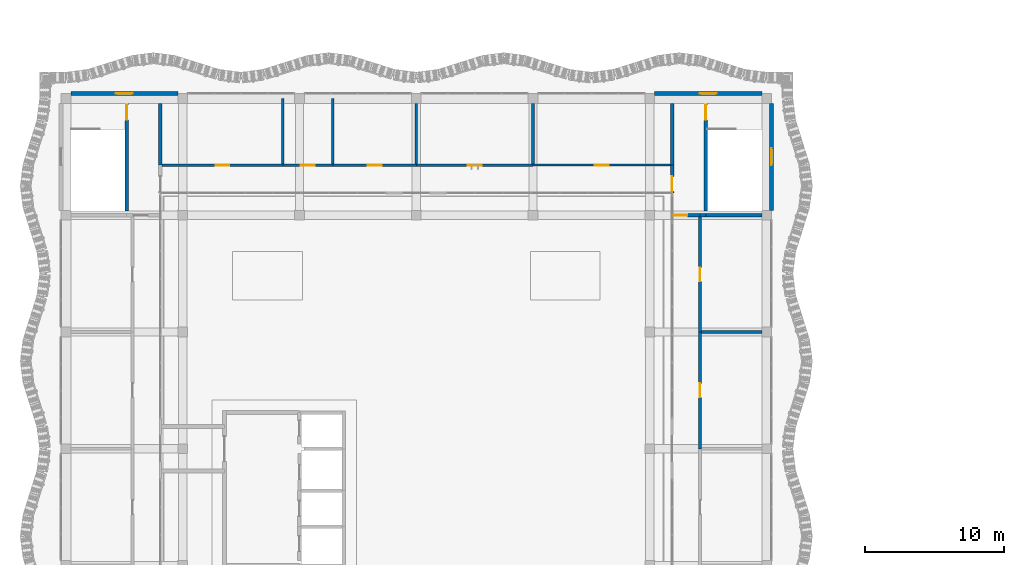
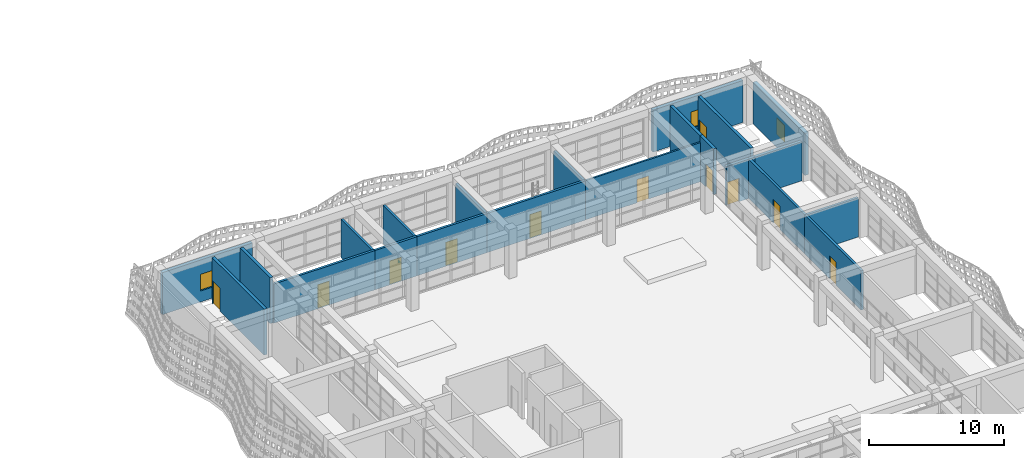
# One storey, part 42 of 85: 23 walls, 11 doors, 3 windows, 14 openings.
"""IFC4 building model written with IfcOpenShell, lengths in metres."""

from ifc_helpers import new_model, si_unit, direction, frame, frame_2d, origin, place, context, subcontext, project, spatial, rectangle, extrude, material, layer, layer_set, type_object, element, fill, save


model = new_model("IFC4")

# Units and contexts
model_context = context("Model", 3, precision=1e-05, world=origin(), true_north=direction((0.0, 1.0)))
body_context = subcontext(model_context, "Body", "Model", "MODEL_VIEW")
ifc_project = project(units=[si_unit("LENGTHUNIT", "METRE"), si_unit("AREAUNIT", "SQUARE_METRE"), si_unit("VOLUMEUNIT", "CUBIC_METRE"), si_unit("PLANEANGLEUNIT", "RADIAN"), si_unit("MASSUNIT", "GRAM", prefix="KILO")], contexts=[model_context])

# Site, building, storey
site_placement = place(None, origin())
site = spatial("IfcSite", under=ifc_project, at=site_placement, CompositionType="ELEMENT")
building_placement = place(site_placement, origin())
building = spatial("IfcBuilding", under=site, at=building_placement, Name="Rain Tree Exposition and Congress Centre", CompositionType="ELEMENT")
storey_placement = place(building_placement, frame((0.0, 0.0, 15.0)))
storey = spatial("IfcBuildingStorey", under=building, at=storey_placement, Name="L03", CompositionType="ELEMENT", Elevation=15.0)

# Wall
ifc_material_1 = material(Name="Plasterboard on steel stud", Category="steel")
ifc_layer_1 = layer(ifc_material_1, 0.199951171875)
ifc_layer_set_1 = layer_set([ifc_layer_1], Name="Plasterboard on steel stud")
wall_type_1 = type_object("IfcWallType", Name="Wing acoustic partition 200", PredefinedType="PARTITIONING", material=ifc_layer_set_1)
wall_1_placement = place(storey_placement, frame((45.699951171875, 33.60009765625, 0.0), z_axis=(0.0, 0.0, 1.0), x_axis=(1.0, 0.0, 0.0)))
element("IfcWall", 1, at=wall_1_placement, inside=storey, type_object=wall_type_1, Name="wing/wall/L03/025", PredefinedType="PARTITIONING", context=body_context, shape_type="SweptSolid", body=[
    extrude(rectangle(XDim=4.35009765625, YDim=0.199951171875, at=frame_2d((2.175048828125, 0.0))), origin(), (0.0, 0.0, 1.0), 3.550048828125),
])

# Wall, opening, door
wall_2_placement = place(storey_placement, frame((6.925048828125, 45.60009765625, 0.0), z_axis=(0.0, 0.0, 1.0), x_axis=(1.0, 0.0, 0.0)))
wall_2 = element("IfcWall", 2, at=wall_2_placement, inside=storey, type_object=wall_type_1, Name="wing/wall/L03/032", PredefinedType="PARTITIONING", context=body_context, shape_type="SweptSolid", body=[
    extrude(rectangle(XDim=8.675048828125, YDim=0.199951171875, at=frame_2d((4.33740234375, 0.0))), origin(), (0.0, 0.0, 1.0), 3.550048828125),
])
opening_1_placement = place(wall_2_placement, frame((3.83740234375, 0.0, 0.0)))
opening_1 = element("IfcOpeningElement", 3, at=opening_1_placement, cuts=wall_2, Name="Opening DW429", PredefinedType="OPENING", context=body_context, shape_type="SweptSolid", body=[
    extrude(rectangle(XDim=1.0, YDim=2.10009765625, at=frame_2d((0.5, 1.050048828125))), frame((0.0, 0.10009765625, 0.0), z_axis=(0.0, -1.0, 0.0), x_axis=(1.0, 0.0, 0.0)), (0.0, 0.0, 1.0), 0.199951171875),
])
ifc_material_2 = material(Name="Timber door leaf", Category="wood")
door_type_1 = type_object("IfcDoorType", Name="Wing door FD30S 1000x2100", OperationType="NOTDEFINED", PredefinedType="DOOR", material=ifc_material_2)
door_1_placement = place(opening_1_placement, origin())
door_1 = element("IfcDoor", 4, at=door_1_placement, inside=storey, type_object=door_type_1, Name="Door DW429", OperationType="SINGLE_SWING_LEFT", OverallHeight=2.10009765625, OverallWidth=1.0, PredefinedType="DOOR", context=body_context, shape_type="SweptSolid", body=[
    extrude(rectangle(XDim=1.0, YDim=2.10009765625, at=frame_2d((0.5, 1.050048828125))), frame((0.0, 0.02490234375, 0.0), z_axis=(0.0, -1.0, 0.0), x_axis=(1.0, 0.0, 0.0)), (0.0, 0.0, 1.0), 0.050048828125),
])
fill(opening_1, door_1)

wall_3_placement = place(storey_placement, frame((15.60009765625, 45.60009765625, 0.0), z_axis=(0.0, 0.0, 1.0), x_axis=(1.0, 0.0, 0.0)))
wall_3 = element("IfcWall", 5, at=wall_3_placement, inside=storey, type_object=wall_type_1, Name="wing/wall/L03/033", PredefinedType="PARTITIONING", context=body_context, shape_type="SweptSolid", body=[
    extrude(rectangle(XDim=3.599853515625, YDim=0.199951171875, at=frame_2d((1.7998046875, 0.0))), origin(), (0.0, 0.0, 1.0), 3.550048828125),
])
opening_2_placement = place(wall_3_placement, frame((1.300048828125, 0.0, 0.0)))
opening_2 = element("IfcOpeningElement", 6, at=opening_2_placement, cuts=wall_3, Name="Opening DW430", PredefinedType="OPENING", context=body_context, shape_type="SweptSolid", body=[
    extrude(rectangle(XDim=1.0, YDim=2.10009765625, at=frame_2d((0.5, 1.050048828125))), frame((0.0, 0.10009765625, 0.0), z_axis=(0.0, -1.0, 0.0), x_axis=(1.0, 0.0, 0.0)), (0.0, 0.0, 1.0), 0.199951171875),
])
door_2_placement = place(opening_2_placement, origin())
door_2 = element("IfcDoor", 7, at=door_2_placement, inside=storey, type_object=door_type_1, Name="Door DW430", OperationType="SINGLE_SWING_LEFT", OverallHeight=2.10009765625, OverallWidth=1.0, PredefinedType="DOOR", context=body_context, shape_type="SweptSolid", body=[
    extrude(rectangle(XDim=1.0, YDim=2.10009765625, at=frame_2d((0.5, 1.050048828125))), frame((0.0, 0.02490234375, 0.0), z_axis=(0.0, -1.0, 0.0), x_axis=(1.0, 0.0, 0.0)), (0.0, 0.0, 1.0), 0.050048828125),
])
fill(opening_2, door_2)

wall_4_placement = place(storey_placement, frame((19.199951171875, 45.60009765625, 0.0), z_axis=(0.0, 0.0, 1.0), x_axis=(1.0, 0.0, 0.0)))
wall_4 = element("IfcWall", 8, at=wall_4_placement, inside=storey, type_object=wall_type_1, Name="wing/wall/L03/034", PredefinedType="PARTITIONING", context=body_context, shape_type="SweptSolid", body=[
    extrude(rectangle(XDim=6.0, YDim=0.199951171875, at=frame_2d((3.0, 0.0))), origin(), (0.0, 0.0, 1.0), 3.550048828125),
])
opening_3_placement = place(wall_4_placement, frame((2.5, 0.0, 0.0)))
opening_3 = element("IfcOpeningElement", 9, at=opening_3_placement, cuts=wall_4, Name="Opening DW431", PredefinedType="OPENING", context=body_context, shape_type="SweptSolid", body=[
    extrude(rectangle(XDim=1.0, YDim=2.10009765625, at=frame_2d((0.5, 1.050048828125))), frame((0.0, 0.10009765625, 0.0), z_axis=(0.0, -1.0, 0.0), x_axis=(1.0, 0.0, 0.0)), (0.0, 0.0, 1.0), 0.199951171875),
])
door_3_placement = place(opening_3_placement, origin())
door_3 = element("IfcDoor", 10, at=door_3_placement, inside=storey, type_object=door_type_1, Name="Door DW431", OperationType="SINGLE_SWING_LEFT", OverallHeight=2.10009765625, OverallWidth=1.0, PredefinedType="DOOR", context=body_context, shape_type="SweptSolid", body=[
    extrude(rectangle(XDim=1.0, YDim=2.10009765625, at=frame_2d((0.5, 1.050048828125))), frame((0.0, 0.02490234375, 0.0), z_axis=(0.0, -1.0, 0.0), x_axis=(1.0, 0.0, 0.0)), (0.0, 0.0, 1.0), 0.050048828125),
])
fill(opening_3, door_3)

# Walls
for number, where, z_axis, x_axis, name in (
    (11, (15.60009765625, 45.699951171875, 0.0), (0.0, 0.0, 1.0), (0.0, 1.0, 0.0), "wing/wall/L03/048"),
    (12, (19.199951171875, 45.699951171875, 0.0), (0.0, 0.0, 1.0), (0.0, 1.0, 0.0), "wing/wall/L03/054"),
):
    element("IfcWall", number, at=place(storey_placement, frame(where, z_axis=z_axis, x_axis=x_axis)), inside=storey, type_object=wall_type_1, Name=name, PredefinedType="PARTITIONING", context=body_context, shape_type="SweptSolid", body=[
        extrude(rectangle(XDim=4.699951171875, YDim=0.199951171875, at=frame_2d((2.35009765625, 0.0))), origin(), (0.0, 0.0, 1.0), 3.449951171875),
    ])

# Wall, opening, door
wall_5_placement = place(storey_placement, frame((45.60009765625, 25.199951171875, 0.0), z_axis=(0.0, 0.0, 1.0), x_axis=(0.0, 1.0, 0.0)))
wall_5 = element("IfcWall", 13, at=wall_5_placement, inside=storey, type_object=wall_type_1, Name="wing/wall/L03/069", PredefinedType="PARTITIONING", context=body_context, shape_type="SweptSolid", body=[
    extrude(rectangle(XDim=8.400146484375, YDim=0.199951171875, at=frame_2d((4.2001953125, 0.0))), origin(), (0.0, 0.0, 1.0), 3.550048828125),
])
opening_4_placement = place(wall_5_placement, frame((3.699951171875, 0.0, 0.0)))
opening_4 = element("IfcOpeningElement", 14, at=opening_4_placement, cuts=wall_5, Name="Opening DW427", PredefinedType="OPENING", context=body_context, shape_type="SweptSolid", body=[
    extrude(rectangle(XDim=1.0, YDim=2.10009765625, at=frame_2d((0.5, 1.050048828125))), frame((0.0, 0.10009765625, 0.0), z_axis=(0.0, -1.0, 0.0), x_axis=(1.0, 0.0, 0.0)), (0.0, 0.0, 1.0), 0.199951171875),
])
door_4_placement = place(opening_4_placement, origin())
door_4 = element("IfcDoor", 15, at=door_4_placement, inside=storey, type_object=door_type_1, Name="Door DW427", OperationType="SINGLE_SWING_LEFT", OverallHeight=2.10009765625, OverallWidth=1.0, PredefinedType="DOOR", context=body_context, shape_type="SweptSolid", body=[
    extrude(rectangle(XDim=1.0, YDim=2.10009765625, at=frame_2d((0.5, 1.050048828125))), frame((0.0, 0.02490234375, 0.0), z_axis=(0.0, -1.0, 0.0), x_axis=(1.0, 0.0, 0.0)), (0.0, 0.0, 1.0), 0.050048828125),
])
fill(opening_4, door_4)

wall_6_placement = place(storey_placement, frame((45.60009765625, 33.60009765625, 0.0), z_axis=(0.0, 0.0, 1.0), x_axis=(0.0, 1.0, 0.0)))
wall_6 = element("IfcWall", 16, at=wall_6_placement, inside=storey, type_object=wall_type_1, Name="wing/wall/L03/070", PredefinedType="PARTITIONING", context=body_context, shape_type="SweptSolid", body=[
    extrude(rectangle(XDim=8.27490234375, YDim=0.199951171875, at=frame_2d((4.137451171875, 0.0))), origin(), (0.0, 0.0, 1.0), 3.550048828125),
])
opening_5_placement = place(wall_6_placement, frame((3.637451171875, 0.0, 0.0)))
opening_5 = element("IfcOpeningElement", 17, at=opening_5_placement, cuts=wall_6, Name="Opening DW428", PredefinedType="OPENING", context=body_context, shape_type="SweptSolid", body=[
    extrude(rectangle(XDim=1.0, YDim=2.10009765625, at=frame_2d((0.5, 1.050048828125))), frame((0.0, 0.10009765625, 0.0), z_axis=(0.0, -1.0, 0.0), x_axis=(1.0, 0.0, 0.0)), (0.0, 0.0, 1.0), 0.199951171875),
])
door_5_placement = place(opening_5_placement, origin())
door_5 = element("IfcDoor", 18, at=door_5_placement, inside=storey, type_object=door_type_1, Name="Door DW428", OperationType="SINGLE_SWING_LEFT", OverallHeight=2.10009765625, OverallWidth=1.0, PredefinedType="DOOR", context=body_context, shape_type="SweptSolid", body=[
    extrude(rectangle(XDim=1.0, YDim=2.10009765625, at=frame_2d((0.5, 1.050048828125))), frame((0.0, 0.02490234375, 0.0), z_axis=(0.0, -1.0, 0.0), x_axis=(1.0, 0.0, 0.0)), (0.0, 0.0, 1.0), 0.050048828125),
])
fill(opening_5, door_5)

# Wall, opening, window
ifc_material_3 = material(Name="Insulated cavity wall")
ifc_layer_2 = layer(ifc_material_3, 0.300048828125)
ifc_layer_set_2 = layer_set([ifc_layer_2], Name="Insulated cavity wall")
wall_type_2 = type_object("IfcWallType", Name="Wing external wall 300", PredefinedType="SOLIDWALL", material=ifc_layer_set_2)
wall_7_placement = place(storey_placement, frame((0.35009765625, 50.75, 0.0), z_axis=(0.0, 0.0, 1.0), x_axis=(1.0, 0.0, 0.0)))
wall_7 = element("IfcWall", 19, at=wall_7_placement, inside=storey, type_object=wall_type_2, Name="wing/facade/L03/N0", PredefinedType="SOLIDWALL", context=body_context, shape_type="SweptSolid", body=[
    extrude(rectangle(XDim=7.699951171875, YDim=0.300048828125, at=frame_2d((3.85009765625, 0.0))), origin(), (0.0, 0.0, 1.0), 3.800048828125),
])
opening_6_placement = place(wall_7_placement, frame((3.25, 0.0, 1.0)))
opening_6 = element("IfcOpeningElement", 20, at=opening_6_placement, cuts=wall_7, Name="Opening WW403", PredefinedType="OPENING", context=body_context, shape_type="SweptSolid", body=[
    extrude(rectangle(XDim=1.199951171875, YDim=1.5, at=frame_2d((0.60009765625, 0.75))), frame((0.0, 0.14990234375, 0.0), z_axis=(0.0, -1.0, 0.0), x_axis=(1.0, 0.0, 0.0)), (0.0, 0.0, 1.0), 0.300048828125),
])
ifc_material_4 = material(Name="Aluminium framed glazing", Category="aluminium")
window_type = type_object("IfcWindowType", Name="Wing window 1200x1500", PartitioningType="SINGLE_PANEL", PredefinedType="WINDOW", material=ifc_material_4)
window_1_placement = place(opening_6_placement, origin())
window_1 = element("IfcWindow", 21, at=window_1_placement, inside=storey, type_object=window_type, Name="wing/window/L03/03", OverallHeight=1.5, OverallWidth=1.199951171875, PartitioningType="SINGLE_PANEL", PredefinedType="WINDOW", context=body_context, shape_type="SweptSolid", body=[
    extrude(rectangle(XDim=1.199951171875, YDim=1.5, at=frame_2d((0.60009765625, 0.75))), frame((0.0, 0.030029296875, 0.0), z_axis=(0.0, -1.0, 0.0), x_axis=(1.0, 0.0, 0.0)), (0.0, 0.0, 1.0), 0.06005859375),
])
fill(opening_6, window_1)

wall_8_placement = place(storey_placement, frame((42.35009765625, 50.75, 0.0), z_axis=(0.0, 0.0, 1.0), x_axis=(1.0, 0.0, 0.0)))
wall_8 = element("IfcWall", 22, at=wall_8_placement, inside=storey, type_object=wall_type_2, Name="wing/facade/L03/N5", PredefinedType="SOLIDWALL", context=body_context, shape_type="SweptSolid", body=[
    extrude(rectangle(XDim=7.699951171875, YDim=0.300048828125, at=frame_2d((3.85009765625, 0.0))), origin(), (0.0, 0.0, 1.0), 3.800048828125),
])
opening_7_placement = place(wall_8_placement, frame((3.25, 0.0, 1.0)))
opening_7 = element("IfcOpeningElement", 23, at=opening_7_placement, cuts=wall_8, Name="Opening WW404", PredefinedType="OPENING", context=body_context, shape_type="SweptSolid", body=[
    extrude(rectangle(XDim=1.199951171875, YDim=1.5, at=frame_2d((0.60009765625, 0.75))), frame((0.0, 0.14990234375, 0.0), z_axis=(0.0, -1.0, 0.0), x_axis=(1.0, 0.0, 0.0)), (0.0, 0.0, 1.0), 0.300048828125),
])
window_2_placement = place(opening_7_placement, origin())
window_2 = element("IfcWindow", 24, at=window_2_placement, inside=storey, type_object=window_type, Name="wing/window/L03/04", OverallHeight=1.5, OverallWidth=1.199951171875, PartitioningType="SINGLE_PANEL", PredefinedType="WINDOW", context=body_context, shape_type="SweptSolid", body=[
    extrude(rectangle(XDim=1.199951171875, YDim=1.5, at=frame_2d((0.60009765625, 0.75))), frame((0.0, 0.030029296875, 0.0), z_axis=(0.0, -1.0, 0.0), x_axis=(1.0, 0.0, 0.0)), (0.0, 0.0, 1.0), 0.06005859375),
])
fill(opening_7, window_2)

wall_9_placement = place(storey_placement, frame((50.75, 42.35009765625, 0.0), z_axis=(0.0, 0.0, 1.0), x_axis=(0.0, 1.0, 0.0)))
wall_9 = element("IfcWall", 25, at=wall_9_placement, inside=storey, type_object=wall_type_2, Name="wing/facade/L03/E5", PredefinedType="SOLIDWALL", context=body_context, shape_type="SweptSolid", body=[
    extrude(rectangle(XDim=7.699951171875, YDim=0.300048828125, at=frame_2d((3.85009765625, 0.0))), origin(), (0.0, 0.0, 1.0), 3.800048828125),
])
opening_8_placement = place(wall_9_placement, frame((3.25, 0.0, 1.0)))
opening_8 = element("IfcOpeningElement", 26, at=opening_8_placement, cuts=wall_9, Name="Opening WW408", PredefinedType="OPENING", context=body_context, shape_type="SweptSolid", body=[
    extrude(rectangle(XDim=1.199951171875, YDim=1.5, at=frame_2d((0.60009765625, 0.75))), frame((0.0, 0.14990234375, 0.0), z_axis=(0.0, -1.0, 0.0), x_axis=(1.0, 0.0, 0.0)), (0.0, 0.0, 1.0), 0.300048828125),
])
window_3_placement = place(opening_8_placement, origin())
window_3 = element("IfcWindow", 27, at=window_3_placement, inside=storey, type_object=window_type, Name="wing/window/L03/08", OverallHeight=1.5, OverallWidth=1.199951171875, PartitioningType="SINGLE_PANEL", PredefinedType="WINDOW", context=body_context, shape_type="SweptSolid", body=[
    extrude(rectangle(XDim=1.199951171875, YDim=1.5, at=frame_2d((0.60009765625, 0.75))), frame((0.0, 0.030029296875, 0.0), z_axis=(0.0, -1.0, 0.0), x_axis=(1.0, 0.0, 0.0)), (0.0, 0.0, 1.0), 0.06005859375),
])
fill(opening_8, window_3)

# Wall, opening, door
ifc_material_5 = material(Name="Dense blockwork", Category="masonry")
ifc_layer_3 = layer(ifc_material_5, 0.199951171875)
ifc_layer_set_3 = layer_set([ifc_layer_3], Name="Dense blockwork")
wall_type_3 = type_object("IfcWallType", Name="Wing plant room wall 200", PredefinedType="SOLIDWALL", material=ifc_layer_set_3)
wall_10_placement = place(storey_placement, frame((25.199951171875, 45.60009765625, 0.0), z_axis=(0.0, 0.0, 1.0), x_axis=(1.0, 0.0, 0.0)))
wall_10 = element("IfcWall", 28, at=wall_10_placement, inside=storey, type_object=wall_type_3, Name="wing/wall/L03/035", PredefinedType="SOLIDWALL", context=body_context, shape_type="SweptSolid", body=[
    extrude(rectangle(XDim=8.400146484375, YDim=0.199951171875, at=frame_2d((4.2001953125, 0.0))), origin(), (0.0, 0.0, 1.0), 3.550048828125),
])
opening_9_placement = place(wall_10_placement, frame((3.699951171875, 0.0, 0.0)))
opening_9 = element("IfcOpeningElement", 29, at=opening_9_placement, cuts=wall_10, Name="Opening DW432", PredefinedType="OPENING", context=body_context, shape_type="SweptSolid", body=[
    extrude(rectangle(XDim=1.0, YDim=2.10009765625, at=frame_2d((0.5, 1.050048828125))), frame((0.0, 0.10009765625, 0.0), z_axis=(0.0, -1.0, 0.0), x_axis=(1.0, 0.0, 0.0)), (0.0, 0.0, 1.0), 0.199951171875),
])
ifc_material_6 = material(Name="Timber door leaf", Category="wood")
door_type_2 = type_object("IfcDoorType", Name="Wing door FD60 1000x2100", OperationType="NOTDEFINED", PredefinedType="DOOR", material=ifc_material_6)
door_6_placement = place(opening_9_placement, origin())
door_6 = element("IfcDoor", 30, at=door_6_placement, inside=storey, type_object=door_type_2, Name="Door DW432", OperationType="SINGLE_SWING_LEFT", OverallHeight=2.10009765625, OverallWidth=1.0, PredefinedType="DOOR", context=body_context, shape_type="SweptSolid", body=[
    extrude(rectangle(XDim=1.0, YDim=2.10009765625, at=frame_2d((0.5, 1.050048828125))), frame((0.0, 0.02490234375, 0.0), z_axis=(0.0, -1.0, 0.0), x_axis=(1.0, 0.0, 0.0)), (0.0, 0.0, 1.0), 0.050048828125),
])
fill(opening_9, door_6)

# Walls
for number, where, z_axis, x_axis, name in (
    (31, (25.199951171875, 45.699951171875, 0.0), (0.0, 0.0, 1.0), (0.0, 1.0, 0.0), "wing/wall/L03/060"),
    (32, (33.60009765625, 45.699951171875, 0.0), (0.0, 0.0, 1.0), (0.0, 1.0, 0.0), "wing/wall/L03/062"),
):
    element("IfcWall", number, at=place(storey_placement, frame(where, z_axis=z_axis, x_axis=x_axis)), inside=storey, type_object=wall_type_3, Name=name, PredefinedType="SOLIDWALL", context=body_context, shape_type="SweptSolid", body=[
        extrude(rectangle(XDim=4.35009765625, YDim=0.199951171875, at=frame_2d((2.175048828125, 0.0))), origin(), (0.0, 0.0, 1.0), 3.550048828125),
    ])

# Wall, opening, door
ifc_material_7 = material(Name="Concrete C40/50", Category="concrete")
ifc_layer_4 = layer(ifc_material_7, 0.25)
ifc_layer_set_4 = layer_set([ifc_layer_4], Name="Concrete C40/50")
wall_type_4 = type_object("IfcWallType", Name="Wing stair wall 250", PredefinedType="SHEAR", material=ifc_layer_set_4)
wall_11_placement = place(storey_placement, frame((43.60009765625, 42.0, 0.0), z_axis=(0.0, 0.0, 1.0), x_axis=(1.0, 0.0, 0.0)))
wall_11 = element("IfcWall", 33, at=wall_11_placement, inside=storey, type_object=wall_type_4, Name="wing/wall/L03/029", PredefinedType="SHEAR", context=body_context, shape_type="SweptSolid", body=[
    extrude(rectangle(XDim=2.0, YDim=0.25, at=frame_2d((1.0, 0.0))), origin(), (0.0, 0.0, 1.0), 3.550048828125),
])
opening_10_placement = place(wall_11_placement, frame((0.10009765625, 0.0, 0.0)))
opening_10 = element("IfcOpeningElement", 34, at=opening_10_placement, cuts=wall_11, Name="Opening DW412", PredefinedType="OPENING", context=body_context, shape_type="SweptSolid", body=[
    extrude(rectangle(XDim=1.0, YDim=2.10009765625, at=frame_2d((0.5, 1.050048828125))), frame((0.0, 0.125, 0.0), z_axis=(0.0, -1.0, 0.0), x_axis=(1.0, 0.0, 0.0)), (0.0, 0.0, 1.0), 0.25),
])
door_7_placement = place(opening_10_placement, origin())
door_7 = element("IfcDoor", 35, at=door_7_placement, inside=storey, type_object=door_type_2, Name="Door DW412", OperationType="SINGLE_SWING_LEFT", OverallHeight=2.10009765625, OverallWidth=1.0, PredefinedType="DOOR", context=body_context, shape_type="SweptSolid", body=[
    extrude(rectangle(XDim=1.0, YDim=2.10009765625, at=frame_2d((0.5, 1.050048828125))), frame((0.0, 0.02490234375, 0.0), z_axis=(0.0, -1.0, 0.0), x_axis=(1.0, 0.0, 0.0)), (0.0, 0.0, 1.0), 0.050048828125),
])
fill(opening_10, door_7)

# Walls
wall_12_placement = place(storey_placement, frame((45.60009765625, 42.0, 0.0), z_axis=(0.0, 0.0, 1.0), x_axis=(1.0, 0.0, 0.0)))
element("IfcWall", 36, at=wall_12_placement, inside=storey, type_object=wall_type_4, Name="wing/wall/L03/030", PredefinedType="SHEAR", context=body_context, shape_type="SweptSolid", body=[
    extrude(rectangle(XDim=0.4248046875, YDim=0.25, at=frame_2d((0.21240234375, 0.0))), origin(), (0.0, 0.0, 1.0), 3.550048828125),
])
wall_13_placement = place(storey_placement, frame((46.02490234375, 42.0, 0.0), z_axis=(0.0, 0.0, 1.0), x_axis=(1.0, 0.0, 0.0)))
element("IfcWall", 37, at=wall_13_placement, inside=storey, type_object=wall_type_4, Name="wing/wall/L03/031", PredefinedType="SHEAR", context=body_context, shape_type="SweptSolid", body=[
    extrude(rectangle(XDim=4.025146484375, YDim=0.25, at=frame_2d((2.0126953125, 0.0))), origin(), (0.0, 0.0, 1.0), 3.550048828125),
])

# Wall, opening, door
wall_14_placement = place(storey_placement, frame((4.375, 42.300048828125, 0.0), z_axis=(0.0, 0.0, 1.0), x_axis=(0.0, 1.0, 0.0)))
wall_14 = element("IfcWall", 38, at=wall_14_placement, inside=storey, type_object=wall_type_4, Name="wing/wall/L03/038", PredefinedType="SHEAR", context=body_context, shape_type="SweptSolid", body=[
    extrude(rectangle(XDim=7.75, YDim=0.25, at=frame_2d((3.875, 0.0))), origin(), (0.0, 0.0, 1.0), 4.14990234375),
])
opening_11_placement = place(wall_14_placement, frame((6.550048828125, 0.0, 0.0)))
opening_11 = element("IfcOpeningElement", 39, at=opening_11_placement, cuts=wall_14, Name="Opening DW405", PredefinedType="OPENING", context=body_context, shape_type="SweptSolid", body=[
    extrude(rectangle(XDim=1.10009765625, YDim=2.10009765625, at=frame_2d((0.550048828125, 1.050048828125))), frame((0.0, 0.125, 0.0), z_axis=(0.0, -1.0, 0.0), x_axis=(1.0, 0.0, 0.0)), (0.0, 0.0, 1.0), 0.25),
])
ifc_material_8 = material(Name="Timber door leaf", Category="wood")
door_type_3 = type_object("IfcDoorType", Name="Wing door FD60 1100x2100", OperationType="NOTDEFINED", PredefinedType="DOOR", material=ifc_material_8)
door_8_placement = place(opening_11_placement, origin())
door_8 = element("IfcDoor", 40, at=door_8_placement, inside=storey, type_object=door_type_3, Name="Door DW405", OperationType="SINGLE_SWING_RIGHT", OverallHeight=2.10009765625, OverallWidth=1.10009765625, PredefinedType="DOOR", context=body_context, shape_type="SweptSolid", body=[
    extrude(rectangle(XDim=1.10009765625, YDim=2.10009765625, at=frame_2d((0.550048828125, 1.050048828125))), frame((0.0, 0.02490234375, 0.0), z_axis=(0.0, -1.0, 0.0), x_axis=(1.0, 0.0, 0.0)), (0.0, 0.0, 1.0), 0.050048828125),
])
fill(opening_11, door_8)

# Wall
wall_15_placement = place(storey_placement, frame((6.800048828125, 45.60009765625, 0.0), z_axis=(0.0, 0.0, 1.0), x_axis=(0.0, 1.0, 0.0)))
element("IfcWall", 41, at=wall_15_placement, inside=storey, type_object=wall_type_4, Name="wing/wall/L03/046", PredefinedType="SHEAR", context=body_context, shape_type="SweptSolid", body=[
    extrude(rectangle(XDim=4.449951171875, YDim=0.25, at=frame_2d((2.22509765625, 0.0))), origin(), (0.0, 0.0, 1.0), 4.14990234375),
])

# Wall, opening, door
wall_16_placement = place(storey_placement, frame((43.60009765625, 43.60009765625, 0.0), z_axis=(0.0, 0.0, 1.0), x_axis=(0.0, 1.0, 0.0)))
wall_16 = element("IfcWall", 42, at=wall_16_placement, inside=storey, type_object=wall_type_4, Name="wing/wall/L03/065", PredefinedType="SHEAR", context=body_context, shape_type="SweptSolid", body=[
    extrude(rectangle(XDim=2.0, YDim=0.25, at=frame_2d((1.0, 0.0))), origin(), (0.0, 0.0, 1.0), 4.14990234375),
])
opening_12_placement = place(wall_16_placement, frame((0.10009765625, 0.0, 0.0)))
opening_12 = element("IfcOpeningElement", 43, at=opening_12_placement, cuts=wall_16, Name="Opening DW407", PredefinedType="OPENING", context=body_context, shape_type="SweptSolid", body=[
    extrude(rectangle(XDim=1.10009765625, YDim=2.10009765625, at=frame_2d((0.550048828125, 1.050048828125))), frame((0.0, 0.125, 0.0), z_axis=(0.0, -1.0, 0.0), x_axis=(1.0, 0.0, 0.0)), (0.0, 0.0, 1.0), 0.25),
])
door_9_placement = place(opening_12_placement, origin())
door_9 = element("IfcDoor", 44, at=door_9_placement, inside=storey, type_object=door_type_3, Name="Door DW407", OperationType="SINGLE_SWING_LEFT", OverallHeight=2.10009765625, OverallWidth=1.10009765625, PredefinedType="DOOR", context=body_context, shape_type="SweptSolid", body=[
    extrude(rectangle(XDim=1.10009765625, YDim=2.10009765625, at=frame_2d((0.550048828125, 1.050048828125))), frame((0.0, 0.02490234375, 0.0), z_axis=(0.0, -1.0, 0.0), x_axis=(1.0, 0.0, 0.0)), (0.0, 0.0, 1.0), 0.050048828125),
])
fill(opening_12, door_9)

# Wall
wall_17_placement = place(storey_placement, frame((43.60009765625, 45.60009765625, 0.0), z_axis=(0.0, 0.0, 1.0), x_axis=(0.0, 1.0, 0.0)))
element("IfcWall", 45, at=wall_17_placement, inside=storey, type_object=wall_type_4, Name="wing/wall/L03/066", PredefinedType="SHEAR", context=body_context, shape_type="SweptSolid", body=[
    extrude(rectangle(XDim=4.449951171875, YDim=0.25, at=frame_2d((2.22509765625, 0.0))), origin(), (0.0, 0.0, 1.0), 4.14990234375),
])

# Wall, opening, door
wall_18_placement = place(storey_placement, frame((46.02490234375, 42.300048828125, 0.0), z_axis=(0.0, 0.0, 1.0), x_axis=(0.0, 1.0, 0.0)))
wall_18 = element("IfcWall", 46, at=wall_18_placement, inside=storey, type_object=wall_type_4, Name="wing/wall/L03/072", PredefinedType="SHEAR", context=body_context, shape_type="SweptSolid", body=[
    extrude(rectangle(XDim=7.75, YDim=0.25, at=frame_2d((3.875, 0.0))), origin(), (0.0, 0.0, 1.0), 4.14990234375),
])
opening_13_placement = place(wall_18_placement, frame((6.550048828125, 0.0, 0.0)))
opening_13 = element("IfcOpeningElement", 47, at=opening_13_placement, cuts=wall_18, Name="Opening DW408", PredefinedType="OPENING", context=body_context, shape_type="SweptSolid", body=[
    extrude(rectangle(XDim=1.10009765625, YDim=2.10009765625, at=frame_2d((0.550048828125, 1.050048828125))), frame((0.0, 0.125, 0.0), z_axis=(0.0, -1.0, 0.0), x_axis=(1.0, 0.0, 0.0)), (0.0, 0.0, 1.0), 0.25),
])
door_10_placement = place(opening_13_placement, origin())
door_10 = element("IfcDoor", 48, at=door_10_placement, inside=storey, type_object=door_type_3, Name="Door DW408", OperationType="SINGLE_SWING_RIGHT", OverallHeight=2.10009765625, OverallWidth=1.10009765625, PredefinedType="DOOR", context=body_context, shape_type="SweptSolid", body=[
    extrude(rectangle(XDim=1.10009765625, YDim=2.10009765625, at=frame_2d((0.550048828125, 1.050048828125))), frame((0.0, 0.02490234375, 0.0), z_axis=(0.0, -1.0, 0.0), x_axis=(1.0, 0.0, 0.0)), (0.0, 0.0, 1.0), 0.050048828125),
])
fill(opening_13, door_10)

ifc_material_9 = material(Name="Plasterboard on steel stud", Category="steel")
ifc_layer_5 = layer(ifc_material_9, 0.14990234375)
ifc_layer_set_5 = layer_set([ifc_layer_5], Name="Plasterboard on steel stud")
wall_type_5 = type_object("IfcWallType", Name="Wing store wall 150", PredefinedType="PARTITIONING", material=ifc_layer_set_5)
wall_19_placement = place(storey_placement, frame((33.60009765625, 45.60009765625, 0.0), z_axis=(0.0, 0.0, 1.0), x_axis=(1.0, 0.0, 0.0)))
wall_19 = element("IfcWall", 49, at=wall_19_placement, inside=storey, type_object=wall_type_5, Name="wing/wall/L03/036", PredefinedType="PARTITIONING", context=body_context, shape_type="SweptSolid", body=[
    extrude(rectangle(XDim=9.875, YDim=0.14990234375, at=frame_2d((4.9375, 0.0))), origin(), (0.0, 0.0, 1.0), 3.550048828125),
])
opening_14_placement = place(wall_19_placement, frame((4.4375, 0.0, 0.0)))
opening_14 = element("IfcOpeningElement", 50, at=opening_14_placement, cuts=wall_19, Name="Opening DW433", PredefinedType="OPENING", context=body_context, shape_type="SweptSolid", body=[
    extrude(rectangle(XDim=1.0, YDim=2.10009765625, at=frame_2d((0.5, 1.050048828125))), frame((0.0, 0.074951171875, 0.0), z_axis=(0.0, -1.0, 0.0), x_axis=(1.0, 0.0, 0.0)), (0.0, 0.0, 1.0), 0.14990234375),
])
door_11_placement = place(opening_14_placement, origin())
door_11 = element("IfcDoor", 51, at=door_11_placement, inside=storey, type_object=door_type_2, Name="Door DW433", OperationType="SINGLE_SWING_LEFT", OverallHeight=2.10009765625, OverallWidth=1.0, PredefinedType="DOOR", context=body_context, shape_type="SweptSolid", body=[
    extrude(rectangle(XDim=1.0, YDim=2.10009765625, at=frame_2d((0.5, 1.050048828125))), frame((0.0, 0.02490234375, 0.0), z_axis=(0.0, -1.0, 0.0), x_axis=(1.0, 0.0, 0.0)), (0.0, 0.0, 1.0), 0.050048828125),
])
fill(opening_14, door_11)

save(model, "model.ifc")
